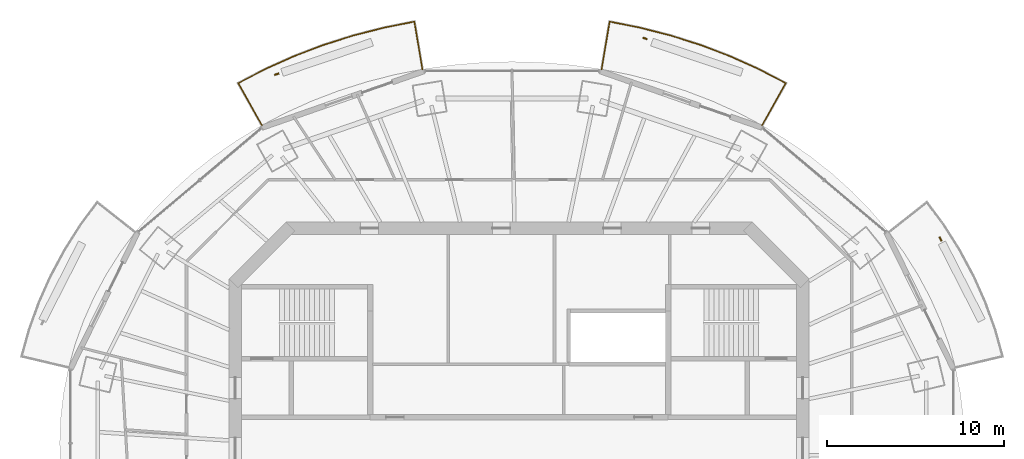
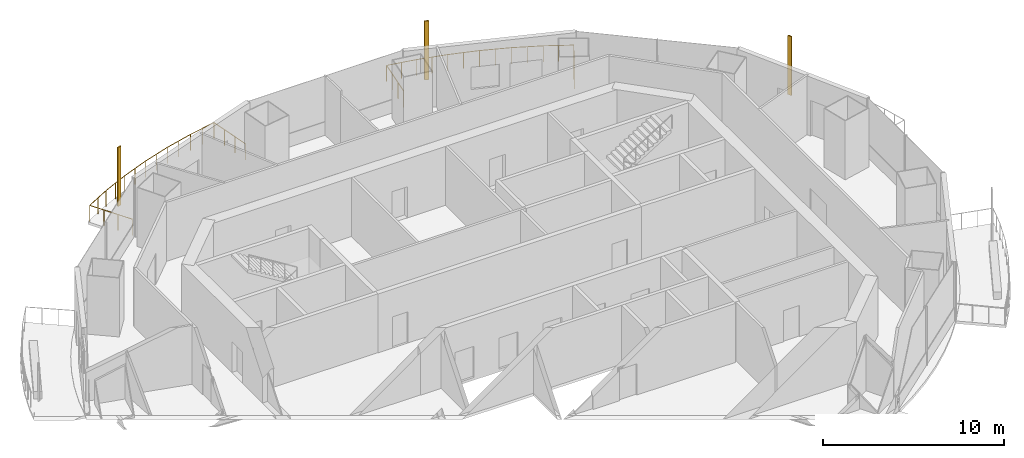
# One storey, part 14 of 15: 3 shading devices, 2 railings.
"""IFC4 building model written with IfcOpenShell, lengths in metres."""

from ifc_helpers import new_model, si_unit, direction, frame, origin, origin_2d, place, context, subcontext, project, spatial, rectangle, circle, extrude, material, material_profile, profile_set, type_object, element, save


model = new_model("IFC4")

# Units and contexts
model_context = context("Model", 3, precision=1e-05, world=origin(), true_north=direction((0.0, 1.0)))
body_context = subcontext(model_context, "Body", "Model", "MODEL_VIEW")
ifc_project = project(units=[si_unit("LENGTHUNIT", "METRE"), si_unit("AREAUNIT", "SQUARE_METRE"), si_unit("VOLUMEUNIT", "CUBIC_METRE"), si_unit("PLANEANGLEUNIT", "RADIAN"), si_unit("MASSUNIT", "GRAM", prefix="KILO")], contexts=[model_context])

# Site, building, storey
site_placement = place(None, origin())
site = spatial("IfcSite", under=ifc_project, at=site_placement, CompositionType="ELEMENT")
building_placement = place(site_placement, origin())
building = spatial("IfcBuilding", under=site, at=building_placement, Name="Marenthal Gate Tower", CompositionType="ELEMENT")
storey_placement = place(building_placement, frame((0.0, 0.0, 388.25)))
storey = spatial("IfcBuildingStorey", under=building, at=storey_placement, Name="L88", CompositionType="ELEMENT", Elevation=388.25)

# Railings
ifc_material_1 = material(Name="Stainless steel", Category="steel")
railing_type = type_object("IfcRailingType", Name="Balcony guard 1100", PredefinedType="GUARDRAIL", material=ifc_material_1)
railing_1_placement = place(storey_placement, frame((4.65380859375, 21.9736328125, 0.0)))
element("IfcRailing", 1, at=railing_1_placement, inside=storey, type_object=railing_type, Name="Balcony guard L88 bay 3", PredefinedType="GUARDRAIL", context=body_context, shape_type="SweptSolid", body=[
    extrude(circle(Radius=0.02392578125, at=origin_2d()), frame((0.0, 0.0, 1.076171875), z_axis=(0.16548710572, 0.986102124538, -0.014717942157), x_axis=(-0.98620894554, 0.16550503236, 0.0)), (0.0, 0.0, 1.0), 2.720458984375),
    extrude(circle(Radius=0.02392578125, at=origin_2d()), frame((0.4501953125, 2.6826171875, 1.0361328125), z_axis=(0.980937527529, -0.194323357023, 0.0), x_axis=(0.194323357023, 0.980937527529, 0.0)), (0.0, 0.0, 1.0), 1.728759765625),
    extrude(circle(Radius=0.02392578125, at=origin_2d()), frame((2.14599609375, 2.3466796875, 1.0361328125), z_axis=(0.968821611277, -0.247759329841, 0.0), x_axis=(0.247759329841, 0.968821611277, 0.0)), (0.0, 0.0, 1.0), 1.80224609375),
    extrude(circle(Radius=0.02392578125, at=origin_2d()), frame((3.89208984375, 1.900146484375, 1.0361328125), z_axis=(0.95315602873, -0.30247906522, 0.0), x_axis=(0.30247906522, 0.95315602873, 0.0)), (0.0, 0.0, 1.0), 1.794189453125),
    extrude(circle(Radius=0.02392578125, at=origin_2d()), frame((5.602294921875, 1.357421875, 1.0361328125), z_axis=(0.934164510517, -0.356842636594, 0.0), x_axis=(0.356842636594, 0.934164510517, 0.0)), (0.0, 0.0, 1.0), 1.784912109375),
    extrude(circle(Radius=0.02392578125, at=origin_2d()), frame((7.269775390625, 0.720458984375, 1.0361328125), z_axis=(0.911620111455, -0.411033784975, 0.0), x_axis=(0.411033784975, 0.911620111455, 0.0)), (0.0, 0.0, 1.0), 1.774658203125),
    extrude(circle(Radius=0.02392578125, at=origin_2d()), frame((8.8876953125, -0.009033203125, 1.0361328125), z_axis=(0.88630797914, -0.463096281688, 0.0), x_axis=(0.463096281688, 0.88630797914, 0.0)), (0.0, 0.0, 1.0), 1.683349609375),
    extrude(circle(Radius=0.02392578125, at=origin_2d()), frame((10.379638671875, -0.78857421875, 1.0361328125), z_axis=(-0.491196386037, -0.87092448933, 0.014718839267), x_axis=(0.871018845044, -0.491249602115, 0.0)), (0.0, 0.0, 1.0), 2.72021484375),
    extrude(circle(Radius=0.02099609375, at=origin_2d()), origin(), (0.0, 0.0, 1.0), 1.052001953125),
    extrude(circle(Radius=0.02099609375, at=origin_2d()), frame((0.150146484375, 0.894287109375, -0.013427734375)), (0.0, 0.0, 1.0), 1.052001953125),
    extrude(circle(Radius=0.02099609375, at=origin_2d()), frame((0.300048828125, 1.788330078125, -0.026611328125)), (0.0, 0.0, 1.0), 1.052001953125),
    extrude(circle(Radius=0.02099609375, at=origin_2d()), frame((0.4501953125, 2.6826171875, -0.0400390625)), (0.0, 0.0, 1.0), 1.052001953125),
    extrude(circle(Radius=0.02099609375, at=origin_2d()), frame((1.298095703125, 2.5146484375, -0.0400390625)), (0.0, 0.0, 1.0), 1.052001953125),
    extrude(circle(Radius=0.02099609375, at=origin_2d()), frame((2.14599609375, 2.3466796875, -0.0400390625)), (0.0, 0.0, 1.0), 1.052001953125),
    extrude(circle(Radius=0.02099609375, at=origin_2d()), frame((3.01904296875, 2.12353515625, -0.0400390625)), (0.0, 0.0, 1.0), 1.052001953125),
    extrude(circle(Radius=0.02099609375, at=origin_2d()), frame((3.89208984375, 1.900146484375, -0.0400390625)), (0.0, 0.0, 1.0), 1.052001953125),
    extrude(circle(Radius=0.02099609375, at=origin_2d()), frame((4.7470703125, 1.62890625, -0.0400390625)), (0.0, 0.0, 1.0), 1.052001953125),
    extrude(circle(Radius=0.02099609375, at=origin_2d()), frame((5.602294921875, 1.357421875, -0.0400390625)), (0.0, 0.0, 1.0), 1.052001953125),
    extrude(circle(Radius=0.02099609375, at=origin_2d()), frame((6.43603515625, 1.0390625, -0.0400390625)), (0.0, 0.0, 1.0), 1.052001953125),
    extrude(circle(Radius=0.02099609375, at=origin_2d()), frame((7.269775390625, 0.720458984375, -0.0400390625)), (0.0, 0.0, 1.0), 1.052001953125),
    extrude(circle(Radius=0.02099609375, at=origin_2d()), frame((8.07861328125, 0.355712890625, -0.0400390625)), (0.0, 0.0, 1.0), 1.052001953125),
    extrude(circle(Radius=0.02099609375, at=origin_2d()), frame((8.8876953125, -0.009033203125, -0.0400390625)), (0.0, 0.0, 1.0), 1.052001953125),
    extrude(circle(Radius=0.02099609375, at=origin_2d()), frame((9.6337890625, -0.39892578125, -0.0400390625)), (0.0, 0.0, 1.0), 1.052001953125),
    extrude(circle(Radius=0.02099609375, at=origin_2d()), frame((10.379638671875, -0.78857421875, -0.0400390625)), (0.0, 0.0, 1.0), 1.052001953125),
    extrude(circle(Radius=0.02099609375, at=origin_2d()), frame((9.934326171875, -1.578369140625, -0.026611328125)), (0.0, 0.0, 1.0), 1.052001953125),
    extrude(circle(Radius=0.02099609375, at=origin_2d()), frame((9.48876953125, -2.367919921875, -0.013427734375)), (0.0, 0.0, 1.0), 1.052001953125),
    extrude(circle(Radius=0.02099609375, at=origin_2d()), frame((9.04345703125, -3.15771484375, 0.0)), (0.0, 0.0, 1.0), 1.052001953125),
])
railing_2_placement = place(storey_placement, frame((-14.497314453125, 18.81591796875, 0.0)))
element("IfcRailing", 2, at=railing_2_placement, inside=storey, type_object=railing_type, Name="Balcony guard L88 bay 5", PredefinedType="GUARDRAIL", context=body_context, shape_type="SweptSolid", body=[
    extrude(circle(Radius=0.02392578125, at=origin_2d()), frame((0.0, 0.0, 1.076171875), z_axis=(-0.491196386037, 0.87092448933, -0.014718839267), x_axis=(-0.871018845044, -0.491249602115, 0.0)), (0.0, 0.0, 1.0), 2.72021484375),
    extrude(circle(Radius=0.02392578125, at=origin_2d()), frame((-1.336181640625, 2.369140625, 1.0361328125), z_axis=(0.88630797914, 0.463096281688, 0.0), x_axis=(-0.463096281688, 0.88630797914, 0.0)), (0.0, 0.0, 1.0), 1.683349609375),
    extrude(circle(Radius=0.02392578125, at=origin_2d()), frame((0.15576171875, 3.148681640625, 1.0361328125), z_axis=(0.911620111455, 0.411033784975, 0.0), x_axis=(-0.411033784975, 0.911620111455, 0.0)), (0.0, 0.0, 1.0), 1.774658203125),
    extrude(circle(Radius=0.02392578125, at=origin_2d()), frame((1.773681640625, 3.878173828125, 1.0361328125), z_axis=(0.934181923489, 0.356797048512, 0.0), x_axis=(-0.356797048512, 0.934181923489, 0.0)), (0.0, 0.0, 1.0), 1.78515625),
    extrude(circle(Radius=0.02392578125, at=origin_2d()), frame((3.44140625, 4.51513671875, 1.0361328125), z_axis=(0.95315602873, 0.30247906522, 0.0), x_axis=(-0.30247906522, 0.95315602873, 0.0)), (0.0, 0.0, 1.0), 1.794189453125),
    extrude(circle(Radius=0.02392578125, at=origin_2d()), frame((5.151611328125, 5.057861328125, 1.0361328125), z_axis=(0.96881329437, 0.247791849448, 0.0), x_axis=(-0.247791849448, 0.96881329437, 0.0)), (0.0, 0.0, 1.0), 1.802001953125),
    extrude(circle(Radius=0.02392578125, at=origin_2d()), frame((6.8974609375, 5.50439453125, 1.0361328125), z_axis=(0.980937527529, 0.194323357023, 0.0), x_axis=(-0.194323357023, 0.980937527529, 0.0)), (0.0, 0.0, 1.0), 1.728759765625),
    extrude(circle(Radius=0.02392578125, at=origin_2d()), frame((8.59326171875, 5.84033203125, 1.0361328125), z_axis=(0.165574389609, -0.986087475896, 0.014717723521), x_axis=(0.986194292137, 0.165592325172, 0.0)), (0.0, 0.0, 1.0), 2.720458984375),
    extrude(circle(Radius=0.02099609375, at=origin_2d()), origin(), (0.0, 0.0, 1.0), 1.052001953125),
    extrude(circle(Radius=0.02099609375, at=origin_2d()), frame((-0.4453125, 0.789794921875, -0.013427734375)), (0.0, 0.0, 1.0), 1.052001953125),
    extrude(circle(Radius=0.02099609375, at=origin_2d()), frame((-0.890869140625, 1.579345703125, -0.026611328125)), (0.0, 0.0, 1.0), 1.052001953125),
    extrude(circle(Radius=0.02099609375, at=origin_2d()), frame((-1.336181640625, 2.369140625, -0.0400390625)), (0.0, 0.0, 1.0), 1.052001953125),
    extrude(circle(Radius=0.02099609375, at=origin_2d()), frame((-0.59033203125, 2.7587890625, -0.0400390625)), (0.0, 0.0, 1.0), 1.052001953125),
    extrude(circle(Radius=0.02099609375, at=origin_2d()), frame((0.15576171875, 3.148681640625, -0.0400390625)), (0.0, 0.0, 1.0), 1.052001953125),
    extrude(circle(Radius=0.02099609375, at=origin_2d()), frame((0.96484375, 3.513427734375, -0.0400390625)), (0.0, 0.0, 1.0), 1.052001953125),
    extrude(circle(Radius=0.02099609375, at=origin_2d()), frame((1.773681640625, 3.878173828125, -0.0400390625)), (0.0, 0.0, 1.0), 1.052001953125),
    extrude(circle(Radius=0.02099609375, at=origin_2d()), frame((2.607421875, 4.19677734375, -0.0400390625)), (0.0, 0.0, 1.0), 1.052001953125),
    extrude(circle(Radius=0.02099609375, at=origin_2d()), frame((3.44140625, 4.51513671875, -0.0400390625)), (0.0, 0.0, 1.0), 1.052001953125),
    extrude(circle(Radius=0.02099609375, at=origin_2d()), frame((4.29638671875, 4.78662109375, -0.0400390625)), (0.0, 0.0, 1.0), 1.052001953125),
    extrude(circle(Radius=0.02099609375, at=origin_2d()), frame((5.151611328125, 5.057861328125, -0.0400390625)), (0.0, 0.0, 1.0), 1.052001953125),
    extrude(circle(Radius=0.02099609375, at=origin_2d()), frame((6.0244140625, 5.28125, -0.0400390625)), (0.0, 0.0, 1.0), 1.052001953125),
    extrude(circle(Radius=0.02099609375, at=origin_2d()), frame((6.8974609375, 5.50439453125, -0.0400390625)), (0.0, 0.0, 1.0), 1.052001953125),
    extrude(circle(Radius=0.02099609375, at=origin_2d()), frame((7.745361328125, 5.67236328125, -0.0400390625)), (0.0, 0.0, 1.0), 1.052001953125),
    extrude(circle(Radius=0.02099609375, at=origin_2d()), frame((8.59326171875, 5.84033203125, -0.0400390625)), (0.0, 0.0, 1.0), 1.052001953125),
    extrude(circle(Radius=0.02099609375, at=origin_2d()), frame((8.743408203125, 4.946044921875, -0.026611328125)), (0.0, 0.0, 1.0), 1.052001953125),
    extrude(circle(Radius=0.02099609375, at=origin_2d()), frame((8.8935546875, 4.052001953125, -0.013427734375)), (0.0, 0.0, 1.0), 1.052001953125),
    extrude(circle(Radius=0.02099609375, at=origin_2d()), frame((9.043701171875, 3.15771484375, 0.0)), (0.0, 0.0, 1.0), 1.052001953125),
])

# Shading devices
ifc_material_2 = material(Name="Terracotta", Category="masonry")
ifc_material_profile = material_profile(ifc_material_2, rectangle(XDim=0.25, YDim=0.080078125, at=origin_2d()), Name="Terracotta baguette 250x80")
ifc_profile_set = profile_set([ifc_material_profile], Name="Terracotta")
shading_device_type = type_object("IfcShadingDeviceType", Name="Terracotta BAGUETTE SCREEN 250x80", PredefinedType="USERDEFINED", material=ifc_profile_set)
for number, where, z_axis, x_axis, name in (
    (3, (23.756103515625, 12.407958984375, -0.0400390625), (0.0, 0.0, 1.0), (-0.440810069048, 0.897600402755, 0.0), "Terracotta BAGUETTE L88 bay 1R"),
    (4, (7.103271484375, 23.707763671875, -0.0400390625), (0.0, 0.0, 1.0), (-0.944044940534, 0.329816843494, 0.0), "Terracotta BAGUETTE L88 bay 3R"),
    (5, (-13.6650390625, 21.69482421875, -0.0400390625), (0.0, 0.0, 1.0), (-0.944044940534, -0.329816843494, 0.0), "Terracotta BAGUETTE L88 bay 5R"),
):
    element("IfcShadingDevice", number, at=place(storey_placement, frame(where, z_axis=z_axis, x_axis=x_axis)), inside=storey, type_object=shading_device_type, Name=name, ObjectType="BAGUETTE SCREEN", PredefinedType="USERDEFINED", context=body_context, shape_type="SweptSolid", body=[
        extrude(rectangle(XDim=0.25, YDim=0.080078125, at=origin_2d()), origin(), (0.0, 0.0, 1.0), 3.969970703125),
    ])

save(model, "model.ifc")
